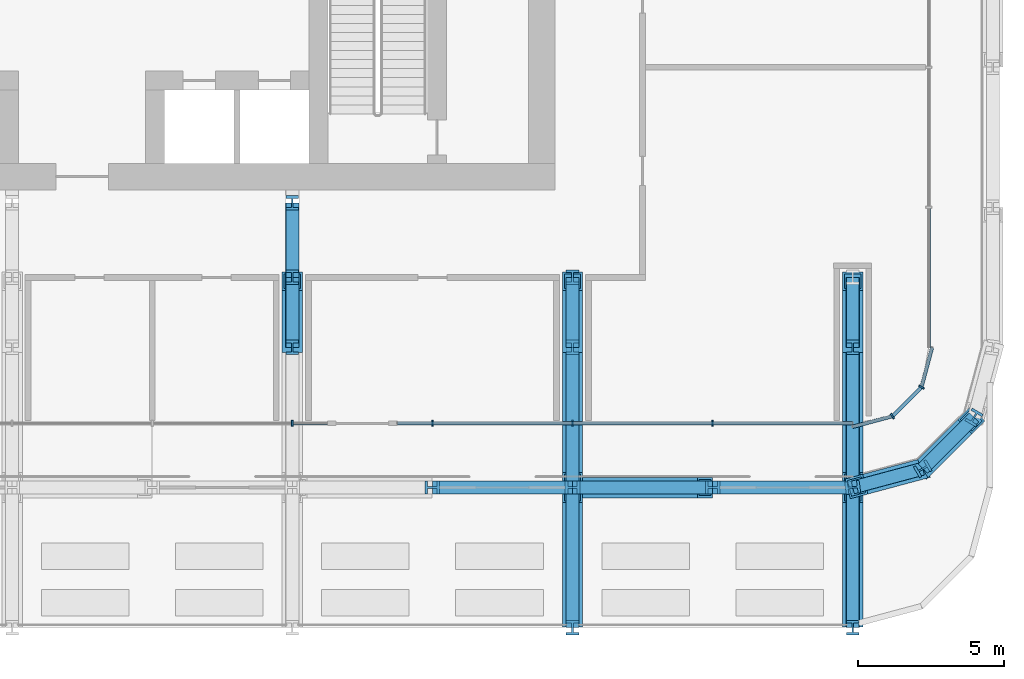
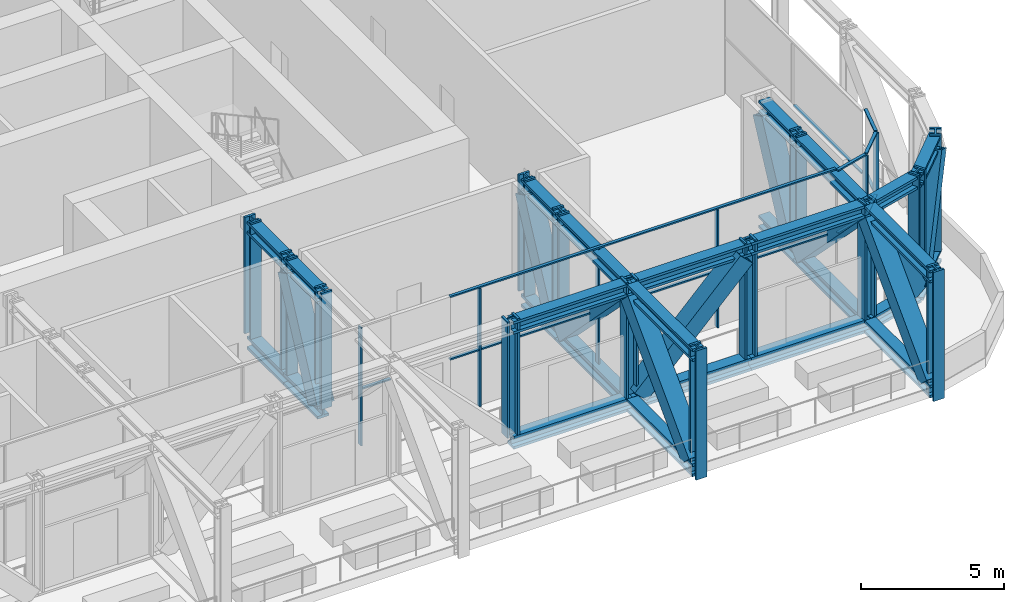
# One storey, part 5 of 23: 69 members, 3 elements without a shape of their own.
"""IFC4 building model written with IfcOpenShell, lengths in metres."""

from ifc_helpers import new_model, si_unit, direction, frame, origin, origin_2d, place, context, subcontext, project, spatial, rectangle, hollow_rectangle, i_section, extrude, material, layer, layer_set, material_profile, profile_set, type_object, element, aggregate, save


model = new_model("IFC4")

# Units and contexts
model_context = context("Model", 3, precision=1e-05, world=origin(), true_north=direction((0.0, 1.0)))
body_context = subcontext(model_context, "Body", "Model", "MODEL_VIEW")
ifc_project = project(units=[si_unit("LENGTHUNIT", "METRE"), si_unit("AREAUNIT", "SQUARE_METRE"), si_unit("VOLUMEUNIT", "CUBIC_METRE"), si_unit("PLANEANGLEUNIT", "RADIAN"), si_unit("MASSUNIT", "GRAM", prefix="KILO")], contexts=[model_context])

# Site, building, storey
site_placement = place(None, origin())
site = spatial("IfcSite", under=ifc_project, at=site_placement, CompositionType="ELEMENT")
building_placement = place(site_placement, origin())
building = spatial("IfcBuilding", under=site, at=building_placement, Name="Madar Terraces", CompositionType="ELEMENT")
storey_placement = place(building_placement, frame((0.0, 0.0, 83.800048828125)))
storey = spatial("IfcBuildingStorey", under=building, at=storey_placement, Name="L21", CompositionType="ELEMENT", Elevation=83.800048828125)

# Members
ifc_material_1 = material(Name="Steel ASTM A913 Grade 65", Category="steel")
ifc_material_profile_1 = material_profile(ifc_material_1, i_section(OverallWidth=0.449462890625, OverallDepth=0.548583984375, WebThickness=0.07177734375, FlangeThickness=0.11474609375, at=origin_2d()), Name="W14x665")
ifc_profile_set_1 = profile_set([ifc_material_profile_1], Name="Steel ASTM A913 Grade 65")
member_type_1 = type_object("IfcMemberType", Name="BC3 W14x665", PredefinedType="CHORD", material=ifc_profile_set_1)
for number, where, z_axis, x_axis, name in (
    (1, (43.199951171875, 4.800048828125, -0.145751953125), (1.0, 0.0, 0.0), (0.0, 1.0, 0.0), "Exoskeleton truss ring bottom chord BC3"),
    (2, (48.0, 4.800048828125, -0.145751953125), (1.0, 0.0, 0.0), (0.0, 1.0, 0.0), "Exoskeleton truss ring bottom chord BC3"),
    (3, (52.800048828125, 4.800048828125, -0.145751953125), (1.0, 0.0, 0.0), (0.0, 1.0, 0.0), "Exoskeleton truss ring bottom chord BC3"),
):
    element("IfcMember", number, at=place(storey_placement, frame(where, z_axis=z_axis, x_axis=x_axis)), inside=storey, type_object=member_type_1, Name=name, PredefinedType="CHORD", context=body_context, shape_type="SweptSolid", body=[
        extrude(i_section(OverallWidth=0.449462890625, OverallDepth=0.548583984375, WebThickness=0.07177734375, FlangeThickness=0.11474609375, at=origin_2d()), origin(), (0.0, 0.0, 1.0), 4.800048828125),
    ])
for number, where, z_axis, x_axis, name in (
    (4, (57.60009765625, 4.800048828125, -0.145751953125), (0.965924366126, 0.258824494443, 0.0), (-0.258824494443, 0.965924366126, 0.0), "Exoskeleton truss ring bottom chord BC3"),
    (5, (60.0, 5.443115234375, -0.145751953125), (0.707106781187, 0.707106781187, 0.0), (-0.707106781187, 0.707106781187, 0.0), "Exoskeleton truss ring bottom chord BC3"),
):
    element("IfcMember", number, at=place(storey_placement, frame(where, z_axis=z_axis, x_axis=x_axis)), inside=storey, type_object=member_type_1, Name=name, PredefinedType="CHORD", context=body_context, shape_type="SweptSolid", body=[
        extrude(i_section(OverallWidth=0.449462890625, OverallDepth=0.548583984375, WebThickness=0.07177734375, FlangeThickness=0.11474609375, at=origin_2d()), origin(), (0.0, 0.0, 1.0), 2.484619140625),
    ])
member_1_placement = place(storey_placement, frame((38.39990234375, 9.60009765625, -0.145751953125), z_axis=(0.0, 1.0, 0.0), x_axis=(-1.0, 0.0, 0.0)))
element("IfcMember", 6, at=member_1_placement, inside=storey, type_object=member_type_1, Name="Exoskeleton truss cross S38.4 bottom chord BC3", PredefinedType="CHORD", context=body_context, shape_type="SweptSolid", body=[
    extrude(i_section(OverallWidth=0.449462890625, OverallDepth=0.548583984375, WebThickness=0.07177734375, FlangeThickness=0.11474609375, at=origin_2d()), origin(), (0.0, 0.0, 1.0), 2.39990234375),
])
member_2_placement = place(storey_placement, frame((38.39990234375, 12.0, -0.145751953125), z_axis=(0.0, 1.0, 0.0), x_axis=(-1.0, 0.0, 0.0)))
element("IfcMember", 7, at=member_2_placement, inside=storey, type_object=member_type_1, Name="Exoskeleton truss cross S38.4 bottom chord BC3", PredefinedType="CHORD", context=body_context, shape_type="SweptSolid", body=[
    extrude(i_section(OverallWidth=0.449462890625, OverallDepth=0.548583984375, WebThickness=0.07177734375, FlangeThickness=0.11474609375, at=origin_2d()), origin(), (0.0, 0.0, 1.0), 2.550048828125),
])
for number, where, z_axis, x_axis, name in (
    (8, (48.0, 0.0, -0.145751953125), (0.0, 1.0, 0.0), (-1.0, 0.0, 0.0), "Exoskeleton truss cross S48 bottom chord BC3"),
    (9, (48.0, 5.02490234375, -0.145751953125), (0.0, 1.0, 0.0), (-1.0, 0.0, 0.0), "Exoskeleton truss cross S48 bottom chord BC3"),
):
    element("IfcMember", number, at=place(storey_placement, frame(where, z_axis=z_axis, x_axis=x_axis)), inside=storey, type_object=member_type_1, Name=name, PredefinedType="CHORD", context=body_context, shape_type="SweptSolid", body=[
        extrude(i_section(OverallWidth=0.449462890625, OverallDepth=0.548583984375, WebThickness=0.07177734375, FlangeThickness=0.11474609375, at=origin_2d()), origin(), (0.0, 0.0, 1.0), 4.5751953125),
    ])
member_3_placement = place(storey_placement, frame((48.0, 9.60009765625, -0.145751953125), z_axis=(0.0, 1.0, 0.0), x_axis=(-1.0, 0.0, 0.0)))
element("IfcMember", 10, at=member_3_placement, inside=storey, type_object=member_type_1, Name="Exoskeleton truss cross S48 bottom chord BC3", PredefinedType="CHORD", context=body_context, shape_type="SweptSolid", body=[
    extrude(i_section(OverallWidth=0.449462890625, OverallDepth=0.548583984375, WebThickness=0.07177734375, FlangeThickness=0.11474609375, at=origin_2d()), origin(), (0.0, 0.0, 1.0), 2.39990234375),
])
for number, where, z_axis, x_axis, name in (
    (11, (57.60009765625, 0.0, -0.145751953125), (0.0, 1.0, 0.0), (-1.0, 0.0, 0.0), "Exoskeleton truss cross S57.6 bottom chord BC3"),
    (12, (57.60009765625, 5.02490234375, -0.145751953125), (0.0, 1.0, 0.0), (-1.0, 0.0, 0.0), "Exoskeleton truss cross S57.6 bottom chord BC3"),
):
    element("IfcMember", number, at=place(storey_placement, frame(where, z_axis=z_axis, x_axis=x_axis)), inside=storey, type_object=member_type_1, Name=name, PredefinedType="CHORD", context=body_context, shape_type="SweptSolid", body=[
        extrude(i_section(OverallWidth=0.449462890625, OverallDepth=0.548583984375, WebThickness=0.07177734375, FlangeThickness=0.11474609375, at=origin_2d()), origin(), (0.0, 0.0, 1.0), 4.5751953125),
    ])
member_4_placement = place(storey_placement, frame((57.60009765625, 9.60009765625, -0.145751953125), z_axis=(0.0, 1.0, 0.0), x_axis=(-1.0, 0.0, 0.0)))
element("IfcMember", 13, at=member_4_placement, inside=storey, type_object=member_type_1, Name="Exoskeleton truss cross S57.6 bottom chord BC3", PredefinedType="CHORD", context=body_context, shape_type="SweptSolid", body=[
    extrude(i_section(OverallWidth=0.449462890625, OverallDepth=0.548583984375, WebThickness=0.07177734375, FlangeThickness=0.11474609375, at=origin_2d()), origin(), (0.0, 0.0, 1.0), 2.39990234375),
])

# Curtain wall, members
ifc_material_2 = material(Name="Glass, ceramic frit dark grey, with black aluminium frame", Category="aluminium")
ifc_layer = layer(ifc_material_2, 0.199951171875)
ifc_layer_set = layer_set([ifc_layer], Name="Facade curtain wall, tall glazing")
curtain_wall_type = type_object("IfcCurtainWallType", Name="Facade curtain wall, tall glazing", PredefinedType="NOTDEFINED", material=ifc_layer_set)
curtain_wall_1_placement = place(storey_placement, origin())
curtain_wall_1 = element("IfcCurtainWall", 14, at=curtain_wall_1_placement, inside=storey, type_object=curtain_wall_type, Name="Outer skin curtain wall south bay 1", PredefinedType="NOTDEFINED")
ifc_material_3 = material(Name="Aluminium, black anodised", Category="aluminium")
ifc_material_profile_2 = material_profile(ifc_material_3, rectangle(XDim=0.199951171875, YDim=0.06005859375, at=origin_2d()), Name="Facade mullion 60x200")
ifc_profile_set_2 = profile_set([ifc_material_profile_2], Name="Aluminium, black anodised")
member_type_2 = type_object("IfcMemberType", Name="Facade mullion 60x200", PredefinedType="MULLION", material=ifc_profile_set_2)
member_5_placement = place(storey_placement, frame((38.39990234375, 7.0, 0.0), z_axis=(0.0, 0.0, 1.0), x_axis=(0.0, 1.0, 0.0)))
member_5 = element("IfcMember", 15, at=member_5_placement, type_object=member_type_2, Name="Mullion 6", PredefinedType="MULLION", context=body_context, shape_type="SweptSolid", body=[
    extrude(rectangle(XDim=0.199951171875, YDim=0.06005859375, at=origin_2d()), origin(), (0.0, 0.0, 1.0), 5.0400390625),
])
member_6_placement = place(storey_placement, frame((43.199951171875, 7.0, 0.0), z_axis=(0.0, 0.0, 1.0), x_axis=(0.0, 1.0, 0.0)))
member_6 = element("IfcMember", 16, at=member_6_placement, type_object=member_type_2, Name="Mullion 7", PredefinedType="MULLION", context=body_context, shape_type="SweptSolid", body=[
    extrude(rectangle(XDim=0.199951171875, YDim=0.06005859375, at=origin_2d()), origin(), (0.0, 0.0, 1.0), 5.0400390625),
])
member_7_placement = place(storey_placement, frame((48.0, 7.0, 0.0), z_axis=(0.0, 0.0, 1.0), x_axis=(0.0, 1.0, 0.0)))
member_7 = element("IfcMember", 17, at=member_7_placement, type_object=member_type_2, Name="Mullion 8", PredefinedType="MULLION", context=body_context, shape_type="SweptSolid", body=[
    extrude(rectangle(XDim=0.199951171875, YDim=0.06005859375, at=origin_2d()), origin(), (0.0, 0.0, 1.0), 5.0400390625),
])
member_8_placement = place(storey_placement, frame((52.800048828125, 7.0, 0.0), z_axis=(0.0, 0.0, 1.0), x_axis=(0.0, 1.0, 0.0)))
member_8 = element("IfcMember", 18, at=member_8_placement, type_object=member_type_2, Name="Mullion 9", PredefinedType="MULLION", context=body_context, shape_type="SweptSolid", body=[
    extrude(rectangle(XDim=0.199951171875, YDim=0.06005859375, at=origin_2d()), origin(), (0.0, 0.0, 1.0), 5.0400390625),
])

curtain_wall_2_placement = place(storey_placement, origin())
curtain_wall_2 = element("IfcCurtainWall", 19, at=curtain_wall_2_placement, inside=storey, type_object=curtain_wall_type, Name="Outer skin curtain wall south-east corner", PredefinedType="NOTDEFINED")
member_9_placement = place(storey_placement, frame((58.9599609375, 7.244384765625, 0.0), z_axis=(0.0, 0.0, 1.0), x_axis=(-0.500000029202, 0.866025386925, 0.0)))
member_9 = element("IfcMember", 20, at=member_9_placement, type_object=member_type_2, Name="Mullion 1", PredefinedType="MULLION", context=body_context, shape_type="SweptSolid", body=[
    extrude(rectangle(XDim=0.199951171875, YDim=0.06005859375, at=origin_2d()), origin(), (0.0, 0.0, 1.0), 5.0400390625),
])
member_10_placement = place(storey_placement, frame((59.95556640625, 8.239990234375, 0.0), z_axis=(0.0, 0.0, 1.0), x_axis=(-0.866025386925, 0.500000029202, 0.0)))
member_10 = element("IfcMember", 21, at=member_10_placement, type_object=member_type_2, Name="Mullion 2", PredefinedType="MULLION", context=body_context, shape_type="SweptSolid", body=[
    extrude(rectangle(XDim=0.199951171875, YDim=0.06005859375, at=origin_2d()), origin(), (0.0, 0.0, 1.0), 5.0400390625),
])

# Member
ifc_material_4 = material(Name="Aluminium, black anodised", Category="aluminium")
ifc_material_profile_3 = material_profile(ifc_material_4, rectangle(XDim=0.1201171875, YDim=0.06005859375, at=origin_2d()), Name="Facade transom 60x120")
ifc_profile_set_3 = profile_set([ifc_material_profile_3], Name="Aluminium, black anodised")
member_type_3 = type_object("IfcMemberType", Name="Facade transom 60x120", PredefinedType="USERDEFINED", material=ifc_profile_set_3)
member_11_placement = place(storey_placement, frame((38.429931640625, 7.0, 2.39990234375), z_axis=(1.0, 0.0, 0.0), x_axis=(0.0, 1.0, 0.0)))
member_11 = element("IfcMember", 22, at=member_11_placement, type_object=member_type_3, Name="Transom 8", ObjectType="TRANSOM", PredefinedType="USERDEFINED", context=body_context, shape_type="SweptSolid", body=[
    extrude(rectangle(XDim=0.1201171875, YDim=0.06005859375, at=origin_2d()), origin(), (0.0, 0.0, 1.0), 1.170166015625),
])

member_12_placement = place(storey_placement, frame((42.0, 7.0, 5.070068359375), z_axis=(1.0, 0.0, 0.0), x_axis=(0.0, 1.0, 0.0)))
member_12 = element("IfcMember", 23, at=member_12_placement, type_object=member_type_3, Name="Transom 9", ObjectType="TRANSOM", PredefinedType="USERDEFINED", context=body_context, shape_type="SweptSolid", body=[
    extrude(rectangle(XDim=0.1201171875, YDim=0.06005859375, at=origin_2d()), origin(), (0.0, 0.0, 1.0), 15.60009765625),
])

member_13_placement = place(storey_placement, frame((42.0, 7.0, 2.39990234375), z_axis=(1.0, 0.0, 0.0), x_axis=(0.0, 1.0, 0.0)))
member_13 = element("IfcMember", 24, at=member_13_placement, type_object=member_type_3, Name="Transom 10", ObjectType="TRANSOM", PredefinedType="USERDEFINED", context=body_context, shape_type="SweptSolid", body=[
    extrude(rectangle(XDim=0.1201171875, YDim=0.06005859375, at=origin_2d()), origin(), (0.0, 0.0, 1.0), 1.169921875),
])

member_14_placement = place(storey_placement, frame((43.22998046875, 7.0, 2.39990234375), z_axis=(1.0, 0.0, 0.0), x_axis=(0.0, 1.0, 0.0)))
member_14 = element("IfcMember", 25, at=member_14_placement, type_object=member_type_3, Name="Transom 11", ObjectType="TRANSOM", PredefinedType="USERDEFINED", context=body_context, shape_type="SweptSolid", body=[
    extrude(rectangle(XDim=0.1201171875, YDim=0.06005859375, at=origin_2d()), origin(), (0.0, 0.0, 1.0), 4.739990234375),
])

member_15_placement = place(storey_placement, frame((48.030029296875, 7.0, 2.39990234375), z_axis=(1.0, 0.0, 0.0), x_axis=(0.0, 1.0, 0.0)))
member_15 = element("IfcMember", 26, at=member_15_placement, type_object=member_type_3, Name="Transom 12", ObjectType="TRANSOM", PredefinedType="USERDEFINED", context=body_context, shape_type="SweptSolid", body=[
    extrude(rectangle(XDim=0.1201171875, YDim=0.06005859375, at=origin_2d()), origin(), (0.0, 0.0, 1.0), 4.739990234375),
])

member_16_placement = place(storey_placement, frame((52.830078125, 7.0, 2.39990234375), z_axis=(1.0, 0.0, 0.0), x_axis=(0.0, 1.0, 0.0)))
member_16 = element("IfcMember", 27, at=member_16_placement, type_object=member_type_3, Name="Transom 13", ObjectType="TRANSOM", PredefinedType="USERDEFINED", context=body_context, shape_type="SweptSolid", body=[
    extrude(rectangle(XDim=0.1201171875, YDim=0.06005859375, at=origin_2d()), origin(), (0.0, 0.0, 1.0), 4.77001953125),
])

aggregate(curtain_wall_1, [member_5, member_11, member_6, member_7, member_8, member_12, member_13, member_14, member_15, member_16])

# Curtain wall, member
curtain_wall_3_placement = place(storey_placement, origin())
curtain_wall_3 = element("IfcCurtainWall", 28, at=curtain_wall_3_placement, inside=storey, type_object=curtain_wall_type, Name="Outer skin curtain wall east bay 1", PredefinedType="NOTDEFINED")
member_17_placement = place(storey_placement, frame((60.199951171875, 9.60009765625, 2.39990234375), z_axis=(0.0, 1.0, 0.0), x_axis=(-1.0, 0.0, 0.0)))
member_17 = element("IfcMember", 29, at=member_17_placement, type_object=member_type_3, Name="Transom 2", ObjectType="TRANSOM", PredefinedType="USERDEFINED", context=body_context, shape_type="SweptSolid", body=[
    extrude(rectangle(XDim=0.1201171875, YDim=0.06005859375, at=origin_2d()), origin(), (0.0, 0.0, 1.0), 4.77001953125),
])
aggregate(curtain_wall_3, [member_17])

# Member
member_18_placement = place(storey_placement, frame((57.60009765625, 6.8798828125, 5.070068359375), z_axis=(0.965907707525, 0.258886655787, 0.0), x_axis=(-0.258886655787, 0.965907707525, 0.0)))
member_18 = element("IfcMember", 30, at=member_18_placement, type_object=member_type_3, Name="Transom 1", ObjectType="TRANSOM", PredefinedType="USERDEFINED", context=body_context, shape_type="SweptSolid", body=[
    extrude(rectangle(XDim=0.1201171875, YDim=0.06005859375, at=origin_2d()), origin(), (0.0, 0.0, 1.0), 1.377685546875),
])

member_19_placement = place(storey_placement, frame((57.60009765625, 6.8798828125, 2.39990234375), z_axis=(0.965907707525, 0.258886655787, 0.0), x_axis=(-0.258886655787, 0.965907707525, 0.0)))
member_19 = element("IfcMember", 31, at=member_19_placement, type_object=member_type_3, Name="Transom 2", ObjectType="TRANSOM", PredefinedType="USERDEFINED", context=body_context, shape_type="SweptSolid", body=[
    extrude(rectangle(XDim=0.1201171875, YDim=0.06005859375, at=origin_2d()), origin(), (0.0, 0.0, 1.0), 1.377685546875),
])

member_20_placement = place(storey_placement, frame((58.981201171875, 7.265625, 5.070068359375), z_axis=(0.707106781187, 0.707106781187, 0.0), x_axis=(-0.707106781187, 0.707106781187, 0.0)))
member_20 = element("IfcMember", 32, at=member_20_placement, type_object=member_type_3, Name="Transom 3", ObjectType="TRANSOM", PredefinedType="USERDEFINED", context=body_context, shape_type="SweptSolid", body=[
    extrude(rectangle(XDim=0.1201171875, YDim=0.06005859375, at=origin_2d()), origin(), (0.0, 0.0, 1.0), 1.347900390625),
])

member_21_placement = place(storey_placement, frame((58.981201171875, 7.265625, 2.39990234375), z_axis=(0.707106781187, 0.707106781187, 0.0), x_axis=(-0.707106781187, 0.707106781187, 0.0)))
member_21 = element("IfcMember", 33, at=member_21_placement, type_object=member_type_3, Name="Transom 4", ObjectType="TRANSOM", PredefinedType="USERDEFINED", context=body_context, shape_type="SweptSolid", body=[
    extrude(rectangle(XDim=0.1201171875, YDim=0.06005859375, at=origin_2d()), origin(), (0.0, 0.0, 1.0), 1.347900390625),
])

member_22_placement = place(storey_placement, frame((59.96337890625, 8.26904296875, 5.070068359375), z_axis=(0.258842352791, 0.965919580711, 0.0), x_axis=(-0.965919580711, 0.258842352791, 0.0)))
member_22 = element("IfcMember", 34, at=member_22_placement, type_object=member_type_3, Name="Transom 5", ObjectType="TRANSOM", PredefinedType="USERDEFINED", context=body_context, shape_type="SweptSolid", body=[
    extrude(rectangle(XDim=0.1201171875, YDim=0.06005859375, at=origin_2d()), origin(), (0.0, 0.0, 1.0), 1.3779296875),
])

member_23_placement = place(storey_placement, frame((59.96337890625, 8.26904296875, 2.39990234375), z_axis=(0.258842352791, 0.965919580711, 0.0), x_axis=(-0.965919580711, 0.258842352791, 0.0)))
member_23 = element("IfcMember", 35, at=member_23_placement, type_object=member_type_3, Name="Transom 6", ObjectType="TRANSOM", PredefinedType="USERDEFINED", context=body_context, shape_type="SweptSolid", body=[
    extrude(rectangle(XDim=0.1201171875, YDim=0.06005859375, at=origin_2d()), origin(), (0.0, 0.0, 1.0), 1.3779296875),
])

aggregate(curtain_wall_2, [member_9, member_18, member_19, member_10, member_20, member_21, member_22, member_23])

# Members
ifc_material_5 = material(Name="Steel ASTM A913 Grade 65", Category="steel")
ifc_material_profile_4 = material_profile(ifc_material_5, i_section(OverallWidth=0.44189453125, OverallDepth=0.53076171875, WebThickness=0.06591796875, FlangeThickness=0.105712890625, at=origin_2d()), Name="W14x605")
ifc_profile_set_4 = profile_set([ifc_material_profile_4], Name="Steel ASTM A913 Grade 65")
member_type_4 = type_object("IfcMemberType", Name="TC3 W14x605", PredefinedType="CHORD", material=ifc_profile_set_4)
for number, where, z_axis, x_axis, name in (
    (36, (43.199951171875, 4.800048828125, 4.764404296875), (1.0, 0.0, 0.0), (0.0, 1.0, 0.0), "Exoskeleton truss ring top chord TC3"),
    (37, (48.0, 4.800048828125, 4.764404296875), (1.0, 0.0, 0.0), (0.0, 1.0, 0.0), "Exoskeleton truss ring top chord TC3"),
    (38, (52.800048828125, 4.800048828125, 4.764404296875), (1.0, 0.0, 0.0), (0.0, 1.0, 0.0), "Exoskeleton truss ring top chord TC3"),
):
    element("IfcMember", number, at=place(storey_placement, frame(where, z_axis=z_axis, x_axis=x_axis)), inside=storey, type_object=member_type_4, Name=name, PredefinedType="CHORD", context=body_context, shape_type="SweptSolid", body=[
        extrude(i_section(OverallWidth=0.44189453125, OverallDepth=0.53076171875, WebThickness=0.06591796875, FlangeThickness=0.105712890625, at=origin_2d()), origin(), (0.0, 0.0, 1.0), 4.800048828125),
    ])
for number, where, z_axis, x_axis, name in (
    (39, (57.60009765625, 4.800048828125, 4.764404296875), (0.965924366126, 0.258824494443, 0.0), (-0.258824494443, 0.965924366126, 0.0), "Exoskeleton truss ring top chord TC3"),
    (40, (60.0, 5.443115234375, 4.764404296875), (0.707106781187, 0.707106781187, 0.0), (-0.707106781187, 0.707106781187, 0.0), "Exoskeleton truss ring top chord TC3"),
):
    element("IfcMember", number, at=place(storey_placement, frame(where, z_axis=z_axis, x_axis=x_axis)), inside=storey, type_object=member_type_4, Name=name, PredefinedType="CHORD", context=body_context, shape_type="SweptSolid", body=[
        extrude(i_section(OverallWidth=0.44189453125, OverallDepth=0.53076171875, WebThickness=0.06591796875, FlangeThickness=0.105712890625, at=origin_2d()), origin(), (0.0, 0.0, 1.0), 2.484619140625),
    ])
member_24_placement = place(storey_placement, frame((38.39990234375, 9.60009765625, 4.764404296875), z_axis=(0.0, 1.0, 0.0), x_axis=(-1.0, 0.0, 0.0)))
element("IfcMember", 41, at=member_24_placement, inside=storey, type_object=member_type_4, Name="Exoskeleton truss cross S38.4 top chord TC3", PredefinedType="CHORD", context=body_context, shape_type="SweptSolid", body=[
    extrude(i_section(OverallWidth=0.44189453125, OverallDepth=0.53076171875, WebThickness=0.06591796875, FlangeThickness=0.105712890625, at=origin_2d()), origin(), (0.0, 0.0, 1.0), 2.39990234375),
])
member_25_placement = place(storey_placement, frame((38.39990234375, 12.0, 4.764404296875), z_axis=(0.0, 1.0, 0.0), x_axis=(-1.0, 0.0, 0.0)))
element("IfcMember", 42, at=member_25_placement, inside=storey, type_object=member_type_4, Name="Exoskeleton truss cross S38.4 top chord TC3", PredefinedType="CHORD", context=body_context, shape_type="SweptSolid", body=[
    extrude(i_section(OverallWidth=0.44189453125, OverallDepth=0.53076171875, WebThickness=0.06591796875, FlangeThickness=0.105712890625, at=origin_2d()), origin(), (0.0, 0.0, 1.0), 2.550048828125),
])
for number, where, z_axis, x_axis, name in (
    (43, (48.0, 0.0, 4.764404296875), (0.0, 1.0, 0.0), (-1.0, 0.0, 0.0), "Exoskeleton truss cross S48 top chord TC3"),
    (44, (48.0, 5.02099609375, 4.764404296875), (0.0, 1.0, 0.0), (-1.0, 0.0, 0.0), "Exoskeleton truss cross S48 top chord TC3"),
):
    element("IfcMember", number, at=place(storey_placement, frame(where, z_axis=z_axis, x_axis=x_axis)), inside=storey, type_object=member_type_4, Name=name, PredefinedType="CHORD", context=body_context, shape_type="SweptSolid", body=[
        extrude(i_section(OverallWidth=0.44189453125, OverallDepth=0.53076171875, WebThickness=0.06591796875, FlangeThickness=0.105712890625, at=origin_2d()), origin(), (0.0, 0.0, 1.0), 4.5791015625),
    ])
member_26_placement = place(storey_placement, frame((48.0, 9.60009765625, 4.764404296875), z_axis=(0.0, 1.0, 0.0), x_axis=(-1.0, 0.0, 0.0)))
element("IfcMember", 45, at=member_26_placement, inside=storey, type_object=member_type_4, Name="Exoskeleton truss cross S48 top chord TC3", PredefinedType="CHORD", context=body_context, shape_type="SweptSolid", body=[
    extrude(i_section(OverallWidth=0.44189453125, OverallDepth=0.53076171875, WebThickness=0.06591796875, FlangeThickness=0.105712890625, at=origin_2d()), origin(), (0.0, 0.0, 1.0), 2.39990234375),
])
for number, where, z_axis, x_axis, name in (
    (46, (57.60009765625, 0.0, 4.764404296875), (0.0, 1.0, 0.0), (-1.0, 0.0, 0.0), "Exoskeleton truss cross S57.6 top chord TC3"),
    (47, (57.60009765625, 5.02099609375, 4.764404296875), (0.0, 1.0, 0.0), (-1.0, 0.0, 0.0), "Exoskeleton truss cross S57.6 top chord TC3"),
):
    element("IfcMember", number, at=place(storey_placement, frame(where, z_axis=z_axis, x_axis=x_axis)), inside=storey, type_object=member_type_4, Name=name, PredefinedType="CHORD", context=body_context, shape_type="SweptSolid", body=[
        extrude(i_section(OverallWidth=0.44189453125, OverallDepth=0.53076171875, WebThickness=0.06591796875, FlangeThickness=0.105712890625, at=origin_2d()), origin(), (0.0, 0.0, 1.0), 4.5791015625),
    ])
member_27_placement = place(storey_placement, frame((57.60009765625, 9.60009765625, 4.764404296875), z_axis=(0.0, 1.0, 0.0), x_axis=(-1.0, 0.0, 0.0)))
element("IfcMember", 48, at=member_27_placement, inside=storey, type_object=member_type_4, Name="Exoskeleton truss cross S57.6 top chord TC3", PredefinedType="CHORD", context=body_context, shape_type="SweptSolid", body=[
    extrude(i_section(OverallWidth=0.44189453125, OverallDepth=0.53076171875, WebThickness=0.06591796875, FlangeThickness=0.105712890625, at=origin_2d()), origin(), (0.0, 0.0, 1.0), 2.39990234375),
])
ifc_material_6 = material(Name="Steel ASTM A572 Grade 50", Category="steel")
ifc_material_profile_5 = material_profile(ifc_material_6, hollow_rectangle(XDim=0.699951171875, YDim=0.699951171875, WallThickness=0.070068359375, at=origin_2d()), Name="BOX700x700x70")
ifc_profile_set_5 = profile_set([ifc_material_profile_5], Name="Steel ASTM A572 Grade 50")
member_type_5 = type_object("IfcMemberType", Name="TD3 BOX700x700x70", PredefinedType="BRACE", material=ifc_profile_set_5)
member_28_placement = place(storey_placement, frame((48.26806640625, 4.800048828125, 0.128662109375), z_axis=(0.699052279579, 0.0, 0.715070563242), x_axis=(0.0, 1.0, 0.0)))
element("IfcMember", 49, at=member_28_placement, inside=storey, type_object=member_type_5, Name="Exoskeleton truss ring diagonal TD3", PredefinedType="BRACE", context=body_context, shape_type="SweptSolid", body=[
    extrude(hollow_rectangle(XDim=0.699951171875, YDim=0.699951171875, WallThickness=0.070068359375, at=origin_2d()), origin(), (0.0, 0.0, 1.0), 6.11181640625),
])
member_29_placement = place(storey_placement, frame((57.729736328125, 4.834716796875, 4.4990234375), z_axis=(0.436135218911, 0.116884238668, -0.892257891854), x_axis=(-0.258864833081, 0.965913556274, 0.0)))
element("IfcMember", 50, at=member_29_placement, inside=storey, type_object=member_type_5, Name="Exoskeleton truss ring diagonal TD3", PredefinedType="BRACE", context=body_context, shape_type="SweptSolid", body=[
    extrude(hollow_rectangle(XDim=0.699951171875, YDim=0.699951171875, WallThickness=0.070068359375, at=origin_2d()), origin(), (0.0, 0.0, 1.0), 4.898193359375),
])
member_30_placement = place(storey_placement, frame((60.09814453125, 5.541259765625, 0.128662109375), z_axis=(0.319256324264, 0.319256324264, 0.892272827579), x_axis=(-0.707106781187, 0.707106781187, 0.0)))
element("IfcMember", 51, at=member_30_placement, inside=storey, type_object=member_type_5, Name="Exoskeleton truss ring diagonal TD3", PredefinedType="BRACE", context=body_context, shape_type="SweptSolid", body=[
    extrude(hollow_rectangle(XDim=0.699951171875, YDim=0.699951171875, WallThickness=0.070068359375, at=origin_2d()), origin(), (0.0, 0.0, 1.0), 4.89794921875),
])
member_31_placement = place(storey_placement, frame((38.39990234375, 9.734130859375, 0.128662109375), z_axis=(0.0, 0.439145320484, 0.898416043655), x_axis=(-1.0, 0.0, 0.0)))
element("IfcMember", 52, at=member_31_placement, inside=storey, type_object=member_type_5, Name="Exoskeleton truss cross S38.4 diagonal TD3", PredefinedType="BRACE", context=body_context, shape_type="SweptSolid", body=[
    extrude(hollow_rectangle(XDim=0.699951171875, YDim=0.699951171875, WallThickness=0.070068359375, at=origin_2d()), origin(), (0.0, 0.0, 1.0), 4.864501953125),
])
member_32_placement = place(storey_placement, frame((48.0, 0.26806640625, 0.128662109375), z_axis=(0.0, 0.699052279579, 0.715070563242), x_axis=(-1.0, 0.0, 0.0)))
element("IfcMember", 53, at=member_32_placement, inside=storey, type_object=member_type_5, Name="Exoskeleton truss cross S48 diagonal TD3", PredefinedType="BRACE", context=body_context, shape_type="SweptSolid", body=[
    extrude(hollow_rectangle(XDim=0.699951171875, YDim=0.699951171875, WallThickness=0.070068359375, at=origin_2d()), origin(), (0.0, 0.0, 1.0), 6.11181640625),
])
member_33_placement = place(storey_placement, frame((48.0, 5.0595703125, 4.4990234375), z_axis=(0.0, 0.699031853378, -0.715090531306), x_axis=(-1.0, 0.0, 0.0)))
element("IfcMember", 54, at=member_33_placement, inside=storey, type_object=member_type_5, Name="Exoskeleton truss cross S48 diagonal TD3", PredefinedType="BRACE", context=body_context, shape_type="SweptSolid", body=[
    extrude(hollow_rectangle(XDim=0.699951171875, YDim=0.699951171875, WallThickness=0.070068359375, at=origin_2d()), origin(), (0.0, 0.0, 1.0), 6.111572265625),
])
member_34_placement = place(storey_placement, frame((48.0, 9.734130859375, 0.128662109375), z_axis=(0.0, 0.439145320484, 0.898416043655), x_axis=(-1.0, 0.0, 0.0)))
element("IfcMember", 55, at=member_34_placement, inside=storey, type_object=member_type_5, Name="Exoskeleton truss cross S48 diagonal TD3", PredefinedType="BRACE", context=body_context, shape_type="SweptSolid", body=[
    extrude(hollow_rectangle(XDim=0.699951171875, YDim=0.699951171875, WallThickness=0.070068359375, at=origin_2d()), origin(), (0.0, 0.0, 1.0), 4.864501953125),
])
member_35_placement = place(storey_placement, frame((57.60009765625, 0.26806640625, 0.128662109375), z_axis=(0.0, 0.699052279579, 0.715070563242), x_axis=(-1.0, 0.0, 0.0)))
element("IfcMember", 56, at=member_35_placement, inside=storey, type_object=member_type_5, Name="Exoskeleton truss cross S57.6 diagonal TD3", PredefinedType="BRACE", context=body_context, shape_type="SweptSolid", body=[
    extrude(hollow_rectangle(XDim=0.699951171875, YDim=0.699951171875, WallThickness=0.070068359375, at=origin_2d()), origin(), (0.0, 0.0, 1.0), 6.11181640625),
])
member_36_placement = place(storey_placement, frame((57.60009765625, 5.0595703125, 4.4990234375), z_axis=(0.0, 0.699031853378, -0.715090531306), x_axis=(-1.0, 0.0, 0.0)))
element("IfcMember", 57, at=member_36_placement, inside=storey, type_object=member_type_5, Name="Exoskeleton truss cross S57.6 diagonal TD3", PredefinedType="BRACE", context=body_context, shape_type="SweptSolid", body=[
    extrude(hollow_rectangle(XDim=0.699951171875, YDim=0.699951171875, WallThickness=0.070068359375, at=origin_2d()), origin(), (0.0, 0.0, 1.0), 6.111572265625),
])
member_37_placement = place(storey_placement, frame((57.60009765625, 9.734130859375, 0.128662109375), z_axis=(0.0, 0.439145320484, 0.898416043655), x_axis=(-1.0, 0.0, 0.0)))
element("IfcMember", 58, at=member_37_placement, inside=storey, type_object=member_type_5, Name="Exoskeleton truss cross S57.6 diagonal TD3", PredefinedType="BRACE", context=body_context, shape_type="SweptSolid", body=[
    extrude(hollow_rectangle(XDim=0.699951171875, YDim=0.699951171875, WallThickness=0.070068359375, at=origin_2d()), origin(), (0.0, 0.0, 1.0), 4.864501953125),
])
ifc_material_7 = material(Name="Steel ASTM A913 Grade 65", Category="steel")
ifc_material_profile_6 = material_profile(ifc_material_7, i_section(OverallWidth=0.431884765625, OverallDepth=0.497802734375, WebThickness=0.0556640625, FlangeThickness=0.0888671875, at=origin_2d()), Name="W14x500")
ifc_profile_set_6 = profile_set([ifc_material_profile_6], Name="Steel ASTM A913 Grade 65")
member_type_6 = type_object("IfcMemberType", Name="TV3 W14x500", PredefinedType="POST", material=ifc_profile_set_6)
for number, where, z_axis, x_axis, name in (
    (59, (43.199951171875, 4.800048828125, 0.128662109375), (0.0, 0.0, 1.0), (0.0, 1.0, 0.0), "Exoskeleton truss ring post TV3"),
    (60, (48.0, 4.800048828125, 0.128662109375), (0.0, 0.0, 1.0), (0.0, 1.0, 0.0), "Exoskeleton truss ring post TV3"),
    (61, (52.800048828125, 4.800048828125, 0.128662109375), (0.0, 0.0, 1.0), (0.0, 1.0, 0.0), "Exoskeleton truss ring post TV3"),
    (62, (57.60009765625, 4.800048828125, 0.128662109375), (0.0, 0.0, 1.0), (-0.130526174916, 0.991444863652, 0.0), "Exoskeleton truss ring post TV3"),
    (63, (60.0, 5.443115234375, 0.128662109375), (0.0, 0.0, 1.0), (-0.499999984885, 0.866025412511, 0.0), "Exoskeleton truss ring post TV3"),
    (64, (61.7568359375, 7.199951171875, 0.128662109375), (0.0, 0.0, 1.0), (-0.866025412511, 0.499999984885, 0.0), "Exoskeleton truss ring post TV3"),
    (65, (38.39990234375, 9.60009765625, 0.128662109375), (0.0, 0.0, 1.0), (-1.0, 0.0, 0.0), "Exoskeleton truss cross S38.4 post TV3"),
    (66, (38.39990234375, 12.0, 0.128662109375), (0.0, 0.0, 1.0), (-1.0, 0.0, 0.0), "Exoskeleton truss cross S38.4 post TV3"),
    (67, (38.39990234375, 14.550048828125, 0.128662109375), (0.0, 0.0, 1.0), (-1.0, 0.0, 0.0), "Exoskeleton truss cross S38.4 post TV3"),
):
    element("IfcMember", number, at=place(storey_placement, frame(where, z_axis=z_axis, x_axis=x_axis)), inside=storey, type_object=member_type_6, Name=name, PredefinedType="POST", context=body_context, shape_type="SweptSolid", body=[
        extrude(i_section(OverallWidth=0.431884765625, OverallDepth=0.497802734375, WebThickness=0.0556640625, FlangeThickness=0.0888671875, at=origin_2d()), origin(), (0.0, 0.0, 1.0), 4.97119140625),
    ])
member_38_placement = place(storey_placement, frame((48.0, 0.0, -0.420166015625), z_axis=(0.0, 0.0, 1.0), x_axis=(-1.0, 0.0, 0.0)))
element("IfcMember", 68, at=member_38_placement, inside=storey, type_object=member_type_6, Name="Exoskeleton truss cross S48 post TV3", PredefinedType="POST", context=body_context, shape_type="SweptSolid", body=[
    extrude(i_section(OverallWidth=0.431884765625, OverallDepth=0.497802734375, WebThickness=0.0556640625, FlangeThickness=0.0888671875, at=origin_2d()), origin(), (0.0, 0.0, 1.0), 5.52001953125),
])
for number, where, z_axis, x_axis, name in (
    (69, (48.0, 9.60009765625, 0.128662109375), (0.0, 0.0, 1.0), (-1.0, 0.0, 0.0), "Exoskeleton truss cross S48 post TV3"),
    (70, (48.0, 12.0, 0.128662109375), (0.0, 0.0, 1.0), (-1.0, 0.0, 0.0), "Exoskeleton truss cross S48 post TV3"),
):
    element("IfcMember", number, at=place(storey_placement, frame(where, z_axis=z_axis, x_axis=x_axis)), inside=storey, type_object=member_type_6, Name=name, PredefinedType="POST", context=body_context, shape_type="SweptSolid", body=[
        extrude(i_section(OverallWidth=0.431884765625, OverallDepth=0.497802734375, WebThickness=0.0556640625, FlangeThickness=0.0888671875, at=origin_2d()), origin(), (0.0, 0.0, 1.0), 4.97119140625),
    ])
member_39_placement = place(storey_placement, frame((57.60009765625, 0.0, -0.420166015625), z_axis=(0.0, 0.0, 1.0), x_axis=(-1.0, 0.0, 0.0)))
element("IfcMember", 71, at=member_39_placement, inside=storey, type_object=member_type_6, Name="Exoskeleton truss cross S57.6 post TV3", PredefinedType="POST", context=body_context, shape_type="SweptSolid", body=[
    extrude(i_section(OverallWidth=0.431884765625, OverallDepth=0.497802734375, WebThickness=0.0556640625, FlangeThickness=0.0888671875, at=origin_2d()), origin(), (0.0, 0.0, 1.0), 5.52001953125),
])
member_40_placement = place(storey_placement, frame((57.60009765625, 9.60009765625, 0.128662109375), z_axis=(0.0, 0.0, 1.0), x_axis=(-1.0, 0.0, 0.0)))
element("IfcMember", 72, at=member_40_placement, inside=storey, type_object=member_type_6, Name="Exoskeleton truss cross S57.6 post TV3", PredefinedType="POST", context=body_context, shape_type="SweptSolid", body=[
    extrude(i_section(OverallWidth=0.431884765625, OverallDepth=0.497802734375, WebThickness=0.0556640625, FlangeThickness=0.0888671875, at=origin_2d()), origin(), (0.0, 0.0, 1.0), 4.97119140625),
])

save(model, "model.ifc")
